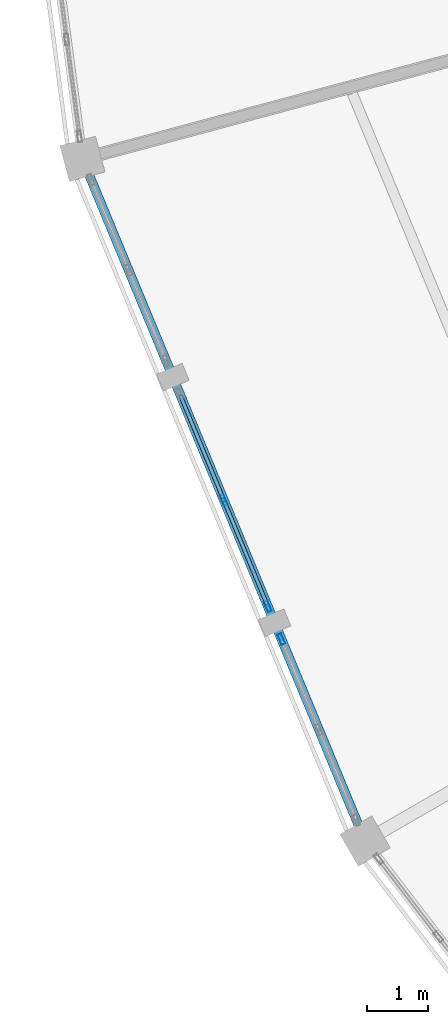
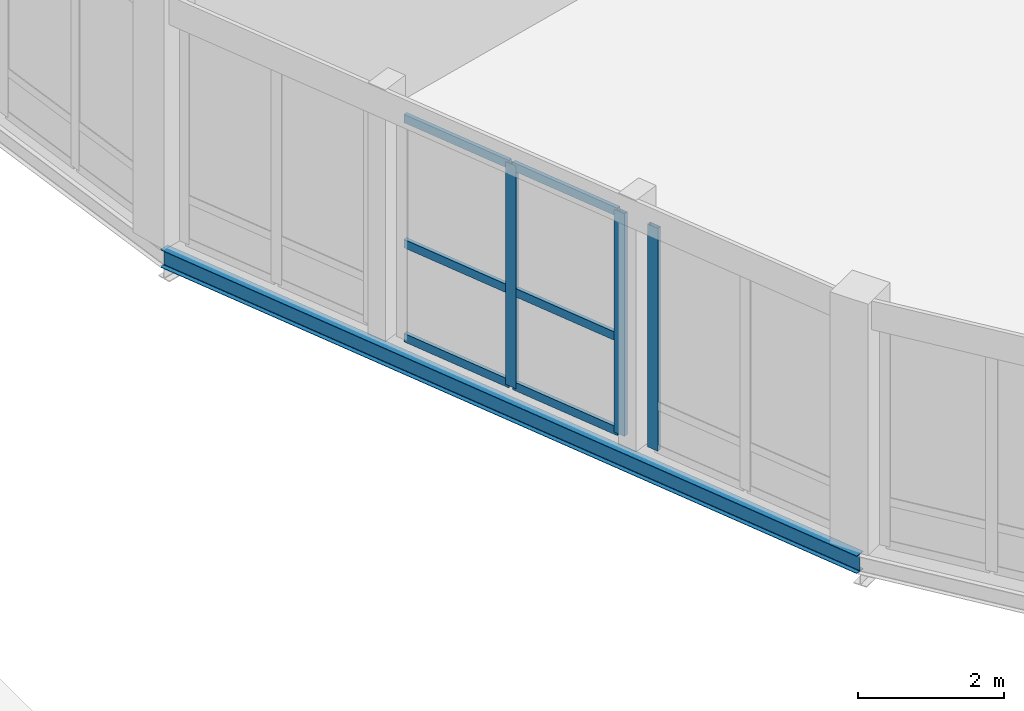
# One storey, part 31 of 200: 9 members, 1 beam, 2 elements without a shape of their own.
"""IFC4 building model written with IfcOpenShell, lengths in metres."""

from ifc_helpers import new_model, si_unit, direction, frame, origin, origin_2d, place, context, subcontext, project, spatial, hollow_rectangle, i_section, extrude, material, material_profile, profile_set, type_object, element, aggregate, save


model = new_model("IFC4")

# Units and contexts
model_context = context("Model", 3, precision=1e-05, world=origin(), true_north=direction((0.0, 1.0)))
body_context = subcontext(model_context, "Body", "Model", "MODEL_VIEW")
ifc_project = project(units=[si_unit("LENGTHUNIT", "METRE"), si_unit("AREAUNIT", "SQUARE_METRE"), si_unit("VOLUMEUNIT", "CUBIC_METRE"), si_unit("PLANEANGLEUNIT", "RADIAN"), si_unit("MASSUNIT", "GRAM", prefix="KILO")], contexts=[model_context])

# Site, building, storey
site_placement = place(None, origin())
site = spatial("IfcSite", under=ifc_project, at=site_placement, CompositionType="ELEMENT")
building_placement = place(site_placement, origin())
building = spatial("IfcBuilding", under=site, at=building_placement, Name="Vondelvale Polytechnic", CompositionType="ELEMENT")
storey_placement = place(building_placement, frame((0.0, 0.0, 13.800048828125)))
storey = spatial("IfcBuildingStorey", under=building, at=storey_placement, Name="L03", CompositionType="ELEMENT", Elevation=13.800048828125)

# Beam
ifc_material_1 = material(Name="Steel 300PLUS (fy = 300 MPa)", Category="steel")
ifc_material_profile_1 = material_profile(ifc_material_1, i_section(OverallWidth=0.14892578125, OverallDepth=0.298095703125, WebThickness=0.005615234375, FlangeThickness=0.008056640625, FilletRadius=0.011474609375, at=origin_2d()), Name="310UB32.0")
ifc_profile_set_1 = profile_set([ifc_material_profile_1], Name="Steel 300PLUS (fy = 300 MPa)")
beam_type = type_object("IfcBeamType", Name="BM-UB310L", PredefinedType="BEAM", material=ifc_profile_set_1)
beam_placement = place(storey_placement, frame((57.5673828125, 60.09423828125, -0.399169921875), z_axis=(0.382688765072, -0.923877323614, 0.0), x_axis=(0.923877323614, 0.382688765072, 0.0)))
element("IfcBeam", 1, at=beam_placement, inside=storey, type_object=beam_type, Name="L03 RB B-25", PredefinedType="BEAM", context=body_context, shape_type="SweptSolid", body=[
    extrude(i_section(OverallWidth=0.14892578125, OverallDepth=0.298095703125, WebThickness=0.005615234375, FlangeThickness=0.008056640625, FilletRadius=0.011474609375, at=origin_2d()), origin(), (0.0, 0.0, 1.0), 12.00830078125),
])

# Curtain wall, members
ifc_material_2 = material(Name="Glulam GL18 structural Tasmanian oak (fb = 42 MPa)", Category="wood")
curtain_wall_type = type_object("IfcCurtainWallType", Name="CW-RING-OUTER", PredefinedType="NOTDEFINED", material=ifc_material_2)
curtain_wall_1_placement = place(storey_placement, origin())
curtain_wall_1 = element("IfcCurtainWall", 2, at=curtain_wall_1_placement, inside=storey, type_object=curtain_wall_type, Name="L03 architectural curtain wall CW-04-289", PredefinedType="NOTDEFINED")
ifc_material_3 = material(Name="Anodised extruded aluminium 6063-T6", Category="aluminium")
ifc_material_profile_2 = material_profile(ifc_material_3, hollow_rectangle(XDim=0.06494140625, YDim=0.179931640625, WallThickness=0.00390625, at=origin_2d()), Name="CW-MUL-180x65")
ifc_profile_set_2 = profile_set([ifc_material_profile_2], Name="Anodised extruded aluminium 6063-T6")
member_type_1 = type_object("IfcMemberType", Name="CW-MUL-65x180", PredefinedType="MULLION", material=ifc_profile_set_2)
member_1_placement = place(storey_placement, frame((59.864990234375, 54.547119140625, 0.0), z_axis=(0.0, 0.0, 1.0), x_axis=(0.92387490701, 0.382694599123, 0.0)))
member_1 = element("IfcMember", 3, at=member_1_placement, type_object=member_type_1, Name="CW-04-289 mullion 2", PredefinedType="MULLION", context=body_context, shape_type="SweptSolid", body=[
    extrude(hollow_rectangle(XDim=0.06494140625, YDim=0.179931640625, WallThickness=0.00390625, at=origin_2d()), origin(), (0.0, 0.0, 1.0), 3.719970703125),
])
member_2_placement = place(storey_placement, frame((60.582275390625, 52.81591796875, 0.0), z_axis=(0.0, 0.0, 1.0), x_axis=(0.92387490701, 0.382694599123, 0.0)))
member_2 = element("IfcMember", 4, at=member_2_placement, type_object=member_type_1, Name="CW-04-289 mullion 3", PredefinedType="MULLION", context=body_context, shape_type="SweptSolid", body=[
    extrude(hollow_rectangle(XDim=0.06494140625, YDim=0.179931640625, WallThickness=0.00390625, at=origin_2d()), origin(), (0.0, 0.0, 1.0), 3.719970703125),
])

# Curtain wall, member
curtain_wall_2_placement = place(storey_placement, origin())
curtain_wall_2 = element("IfcCurtainWall", 5, at=curtain_wall_2_placement, inside=storey, type_object=curtain_wall_type, Name="L03 architectural curtain wall CW-04-290", PredefinedType="NOTDEFINED")
member_3_placement = place(storey_placement, frame((60.80224609375, 52.28466796875, 0.0), z_axis=(0.0, 0.0, 1.0), x_axis=(0.923882033442, 0.382677394529, 0.0)))
member_3 = element("IfcMember", 6, at=member_3_placement, type_object=member_type_1, Name="CW-04-290 mullion 1", PredefinedType="MULLION", context=body_context, shape_type="SweptSolid", body=[
    extrude(hollow_rectangle(XDim=0.06494140625, YDim=0.179931640625, WallThickness=0.00390625, at=origin_2d()), origin(), (0.0, 0.0, 1.0), 3.719970703125),
])
aggregate(curtain_wall_2, [member_3])

# Member
ifc_material_profile_3 = material_profile(ifc_material_3, hollow_rectangle(XDim=0.06005859375, YDim=0.139892578125, WallThickness=0.00341796875, at=origin_2d()), Name="CW-TRN-140x60")
ifc_profile_set_3 = profile_set([ifc_material_profile_3], Name="Anodised extruded aluminium 6063-T6")
member_type_2 = type_object("IfcMemberType", Name="CW-TRN-60x140", PredefinedType="USERDEFINED", material=ifc_profile_set_3)
member_4_placement = place(storey_placement, frame((59.160400390625, 56.24853515625, 0.030029296875), z_axis=(0.382717291485, -0.923865506878, 0.0), x_axis=(0.923865506878, 0.382717291485, 0.0)))
member_4 = element("IfcMember", 7, at=member_4_placement, type_object=member_type_2, Name="CW-04-289 transom 1.1", ObjectType="TRANSOM", PredefinedType="USERDEFINED", context=body_context, shape_type="SweptSolid", body=[
    extrude(hollow_rectangle(XDim=0.06005859375, YDim=0.139892578125, WallThickness=0.00341796875, at=origin_2d()), origin(), (0.0, 0.0, 1.0), 1.80908203125),
])

member_5_placement = place(storey_placement, frame((59.160400390625, 56.24853515625, 1.599853515625), z_axis=(0.382717291485, -0.923865506878, 0.0), x_axis=(0.923865506878, 0.382717291485, 0.0)))
member_5 = element("IfcMember", 8, at=member_5_placement, type_object=member_type_2, Name="CW-04-289 transom 1.2", ObjectType="TRANSOM", PredefinedType="USERDEFINED", context=body_context, shape_type="SweptSolid", body=[
    extrude(hollow_rectangle(XDim=0.06005859375, YDim=0.139892578125, WallThickness=0.00341796875, at=origin_2d()), origin(), (0.0, 0.0, 1.0), 1.80908203125),
])

member_6_placement = place(storey_placement, frame((59.160400390625, 56.24853515625, 3.68994140625), z_axis=(0.382717291485, -0.923865506878, 0.0), x_axis=(0.923865506878, 0.382717291485, 0.0)))
member_6 = element("IfcMember", 9, at=member_6_placement, type_object=member_type_2, Name="CW-04-289 transom 1.3", ObjectType="TRANSOM", PredefinedType="USERDEFINED", context=body_context, shape_type="SweptSolid", body=[
    extrude(hollow_rectangle(XDim=0.06005859375, YDim=0.139892578125, WallThickness=0.00341796875, at=origin_2d()), origin(), (0.0, 0.0, 1.0), 1.80908203125),
])

member_7_placement = place(storey_placement, frame((59.87744140625, 54.51708984375, 0.030029296875), z_axis=(0.382765012338, -0.92384573676, 0.0), x_axis=(0.92384573676, 0.382765012338, 0.0)))
member_7 = element("IfcMember", 10, at=member_7_placement, type_object=member_type_2, Name="CW-04-289 transom 2.1", ObjectType="TRANSOM", PredefinedType="USERDEFINED", context=body_context, shape_type="SweptSolid", body=[
    extrude(hollow_rectangle(XDim=0.06005859375, YDim=0.139892578125, WallThickness=0.00341796875, at=origin_2d()), origin(), (0.0, 0.0, 1.0), 1.808837890625),
])

member_8_placement = place(storey_placement, frame((59.87744140625, 54.51708984375, 1.599853515625), z_axis=(0.382765012338, -0.92384573676, 0.0), x_axis=(0.92384573676, 0.382765012338, 0.0)))
member_8 = element("IfcMember", 11, at=member_8_placement, type_object=member_type_2, Name="CW-04-289 transom 2.2", ObjectType="TRANSOM", PredefinedType="USERDEFINED", context=body_context, shape_type="SweptSolid", body=[
    extrude(hollow_rectangle(XDim=0.06005859375, YDim=0.139892578125, WallThickness=0.00341796875, at=origin_2d()), origin(), (0.0, 0.0, 1.0), 1.808837890625),
])

member_9_placement = place(storey_placement, frame((59.87744140625, 54.51708984375, 3.68994140625), z_axis=(0.382765012338, -0.92384573676, 0.0), x_axis=(0.92384573676, 0.382765012338, 0.0)))
member_9 = element("IfcMember", 12, at=member_9_placement, type_object=member_type_2, Name="CW-04-289 transom 2.3", ObjectType="TRANSOM", PredefinedType="USERDEFINED", context=body_context, shape_type="SweptSolid", body=[
    extrude(hollow_rectangle(XDim=0.06005859375, YDim=0.139892578125, WallThickness=0.00341796875, at=origin_2d()), origin(), (0.0, 0.0, 1.0), 1.808837890625),
])

aggregate(curtain_wall_1, [member_1, member_2, member_4, member_5, member_6, member_7, member_8, member_9])

save(model, "model.ifc")
